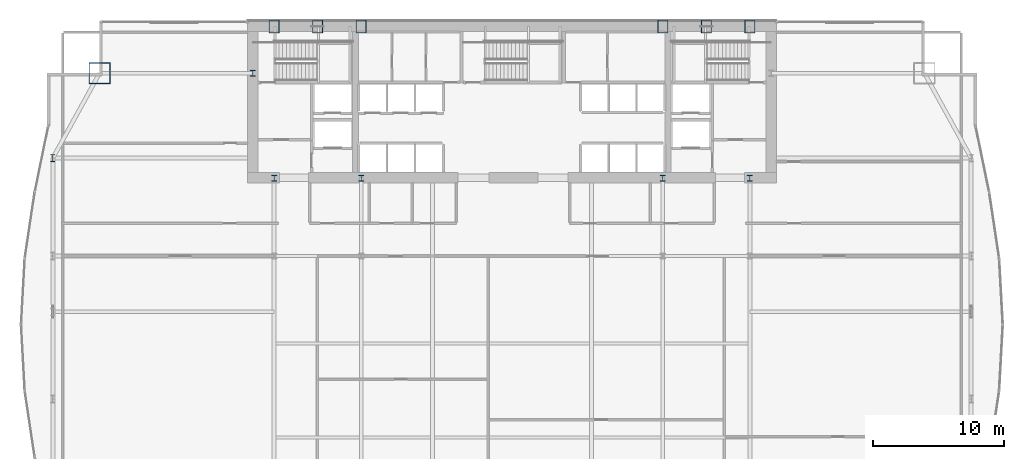
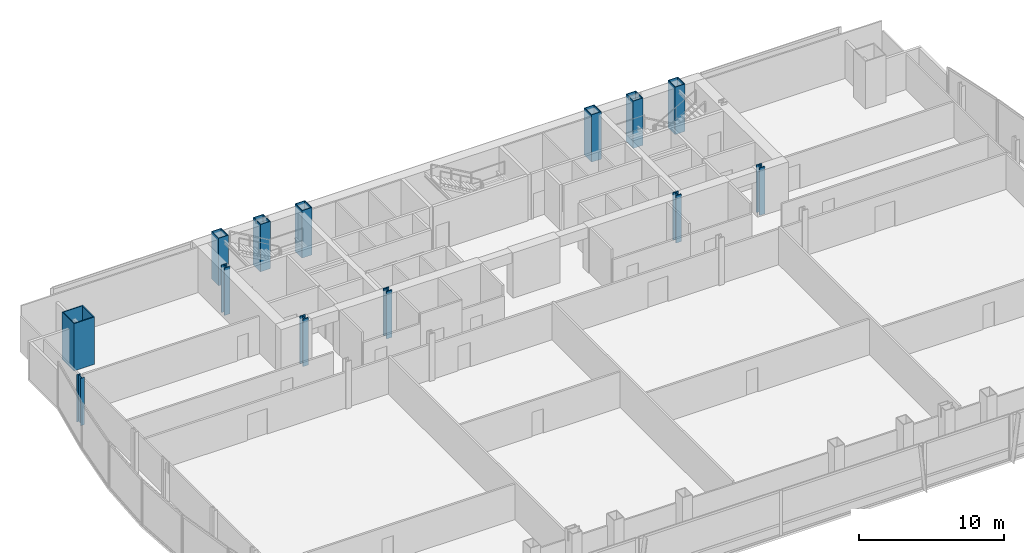
# One storey, part 3 of 36: 13 columns.
"""IFC4 building model written with IfcOpenShell, lengths in metres."""

from ifc_helpers import new_model, si_unit, direction, frame, origin, origin_2d, place, context, subcontext, project, spatial, hollow_rectangle, i_section, extrude, material, material_profile, profile_set, type_object, element, save


model = new_model("IFC4")

# Units and contexts
model_context = context("Model", 3, precision=1e-05, world=origin(), true_north=direction((0.0, 1.0)))
body_context = subcontext(model_context, "Body", "Model", "MODEL_VIEW")
ifc_project = project(units=[si_unit("LENGTHUNIT", "METRE"), si_unit("AREAUNIT", "SQUARE_METRE"), si_unit("VOLUMEUNIT", "CUBIC_METRE"), si_unit("PLANEANGLEUNIT", "RADIAN"), si_unit("MASSUNIT", "GRAM", prefix="KILO")], contexts=[model_context])

# Site, building, storey
site_placement = place(None, origin())
site = spatial("IfcSite", under=ifc_project, at=site_placement, CompositionType="ELEMENT")
building_placement = place(site_placement, origin())
building = spatial("IfcBuilding", under=site, at=building_placement, Name="Khoronbel Lancet Exchange", CompositionType="ELEMENT")
storey_placement = place(building_placement, frame((0.0, 0.0, 57.800048828125)))
storey = spatial("IfcBuildingStorey", under=building, at=storey_placement, Name="L13", CompositionType="ELEMENT", Elevation=57.800048828125)

# Columns
ifc_material_1 = material(Name="Steel S460", Category="steel")
ifc_material_profile_1 = material_profile(ifc_material_1, hollow_rectangle(XDim=0.800048828125, YDim=1.0, WallThickness=0.054931640625, at=origin_2d()), Name="BOX 1000x800x55")
ifc_profile_set_1 = profile_set([ifc_material_profile_1], Name="Steel S460")
column_type_1 = type_object("IfcColumnType", Name="COL-EC1", PredefinedType="COLUMN", material=ifc_profile_set_1)
for number, where, z_axis, x_axis, name in (
    (1, (18.22509765625, 53.280029296875, 0.0), (0.0, 0.0, 1.0), (1.0, 0.0, 0.0), "Structural column NC-W1 L13"),
    (2, (21.5625, 53.280029296875, 0.0), (0.0, 0.0, 1.0), (1.0, 0.0, 0.0), "Structural column NC-WM L13"),
    (3, (24.89990234375, 53.280029296875, 0.0), (0.0, 0.0, 1.0), (1.0, 0.0, 0.0), "Structural column NC-W2 L13"),
    (4, (48.0, 53.280029296875, 0.0), (0.0, 0.0, 1.0), (1.0, 0.0, 0.0), "Structural column NC-E1 L13"),
    (5, (51.33740234375, 53.280029296875, 0.0), (0.0, 0.0, 1.0), (1.0, 0.0, 0.0), "Structural column NC-EM L13"),
    (6, (54.675048828125, 53.280029296875, 0.0), (0.0, 0.0, 1.0), (1.0, 0.0, 0.0), "Structural column NC-E2 L13"),
):
    element("IfcColumn", number, at=place(storey_placement, frame(where, z_axis=z_axis, x_axis=x_axis)), inside=storey, type_object=column_type_1, Name=name, PredefinedType="COLUMN", context=body_context, shape_type="SweptSolid", body=[
        extrude(hollow_rectangle(XDim=0.800048828125, YDim=1.0, WallThickness=0.054931640625, at=origin_2d()), origin(), (0.0, 0.0, 1.0), 4.0),
    ])
ifc_material_profile_2 = material_profile(ifc_material_1, i_section(OverallWidth=0.424072265625, OverallDepth=0.47412109375, WebThickness=0.047607421875, FlangeThickness=0.076904296875, at=origin_2d()), Name="HD 400x634")
ifc_profile_set_2 = profile_set([ifc_material_profile_2], Name="Steel S460")
column_type_2 = type_object("IfcColumnType", Name="COL-IC1", PredefinedType="COLUMN", material=ifc_profile_set_2)
for number, where, z_axis, x_axis, name in (
    (7, (16.60009765625, 49.699951171875, 0.0), (0.0, 0.0, 1.0), (1.0, 0.0, 0.0), "Core-flank plumb transfer column CFW L13"),
    (8, (18.22509765625, 41.64990234375, 0.0), (0.0, 0.0, 1.0), (1.0, 0.0, 0.0), "Core-embedded steel column CTC1 L13"),
    (9, (24.89990234375, 41.64990234375, 0.0), (0.0, 0.0, 1.0), (1.0, 0.0, 0.0), "Core-embedded steel column CTC2 L13"),
    (10, (48.0, 41.64990234375, 0.0), (0.0, 0.0, 1.0), (1.0, 0.0, 0.0), "Core-embedded steel column CTC3 L13"),
    (11, (54.675048828125, 41.64990234375, 0.0), (0.0, 0.0, 1.0), (1.0, 0.0, 0.0), "Core-embedded steel column CTC4 L13"),
):
    element("IfcColumn", number, at=place(storey_placement, frame(where, z_axis=z_axis, x_axis=x_axis)), inside=storey, type_object=column_type_2, Name=name, PredefinedType="COLUMN", context=body_context, shape_type="SweptSolid", body=[
        extrude(i_section(OverallWidth=0.424072265625, OverallDepth=0.47412109375, WebThickness=0.047607421875, FlangeThickness=0.076904296875, at=origin_2d()), origin(), (0.0, 0.0, 1.0), 4.0),
    ])
ifc_material_2 = material(Name="Steel S355", Category="steel")
ifc_material_profile_3 = material_profile(ifc_material_2, i_section(OverallWidth=0.300048828125, OverallDepth=0.550048828125, WebThickness=0.014892578125, FlangeThickness=0.029052734375, at=origin_2d()), Name="HEB 550")
ifc_profile_set_3 = profile_set([ifc_material_profile_3], Name="Steel S355")
column_type_3 = type_object("IfcColumnType", Name="COL-LC1", PredefinedType="COLUMN", material=ifc_profile_set_3)
column_1_placement = place(storey_placement, frame((1.27001953125, 43.199951171875, 0.0), z_axis=(0.0, 0.0, 1.0), x_axis=(1.0, 0.0, 0.0)))
element("IfcColumn", 12, at=column_1_placement, inside=storey, type_object=column_type_3, Name="Structural column WC-4 L13", PredefinedType="COLUMN", context=body_context, shape_type="SweptSolid", body=[
    extrude(i_section(OverallWidth=0.300048828125, OverallDepth=0.550048828125, WebThickness=0.014892578125, FlangeThickness=0.029052734375, at=origin_2d()), origin(), (0.0, 0.0, 1.0), 4.0),
])
ifc_material_profile_4 = material_profile(ifc_material_1, hollow_rectangle(XDim=1.64990234375, YDim=1.64990234375, WallThickness=0.074951171875, at=origin_2d()), Name="BOX 1650x1650x75")
ifc_profile_set_4 = profile_set([ifc_material_profile_4], Name="Steel S460")
column_type_4 = type_object("IfcColumnType", Name="COL-MC2", PredefinedType="COLUMN", material=ifc_profile_set_4)
column_2_placement = place(storey_placement, frame((4.85009765625, 49.699951171875, 0.0), z_axis=(0.0, 0.0, 1.0), x_axis=(1.0, 0.0, 0.0)))
element("IfcColumn", 13, at=column_2_placement, inside=storey, type_object=column_type_4, Name="Structural column MC-NW L13", PredefinedType="COLUMN", context=body_context, shape_type="SweptSolid", body=[
    extrude(hollow_rectangle(XDim=1.64990234375, YDim=1.64990234375, WallThickness=0.074951171875, at=origin_2d()), origin(), (0.0, 0.0, 1.0), 4.0),
])

save(model, "model.ifc")
